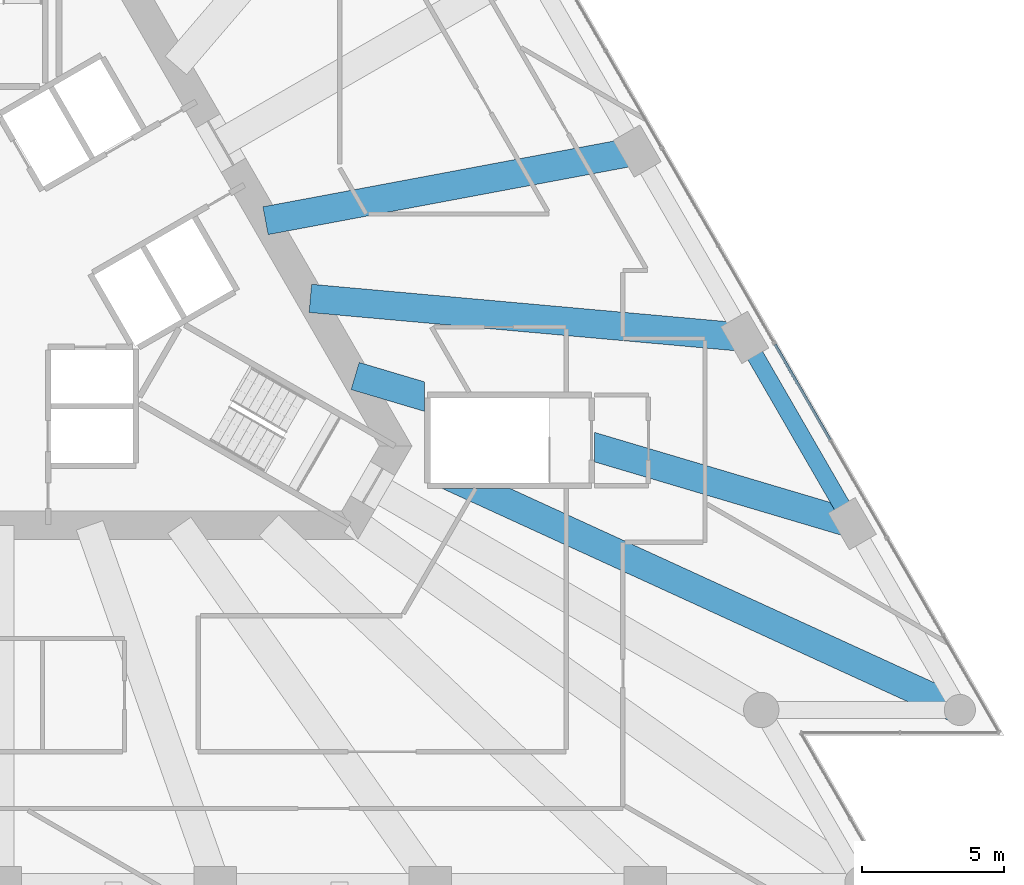
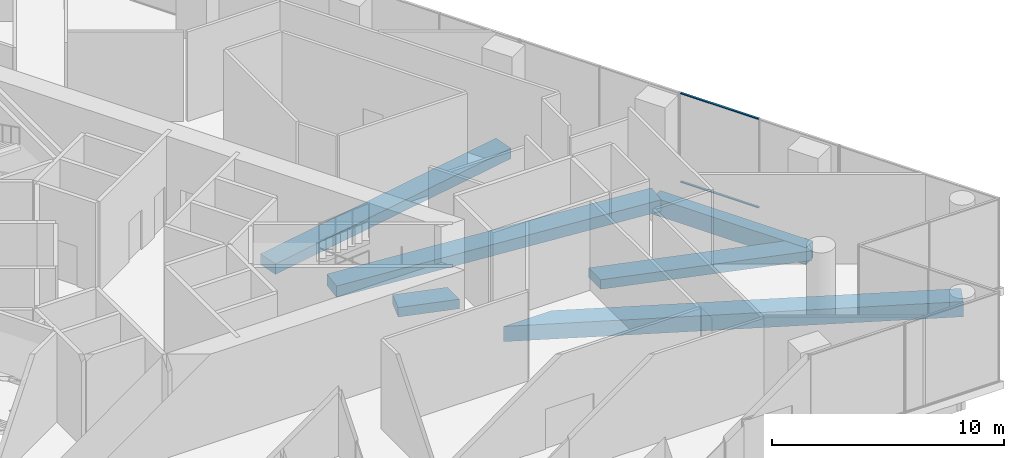
# One storey, part 11 of 28: 6 beams, 2 members, 1 element without a shape of its own.
"""IFC4 building model written with IfcOpenShell, lengths in metres."""

from ifc_helpers import new_model, si_unit, direction, frame, origin, origin_2d, place, context, subcontext, project, spatial, rectangle, extrude, clip, halfspace, material, layer, layer_set, material_profile, profile_set, type_object, element, aggregate, save


model = new_model("IFC4")

# Units and contexts
model_context = context("Model", 3, precision=1e-05, world=origin(), true_north=direction((0.0, 1.0)))
body_context = subcontext(model_context, "Body", "Model", "MODEL_VIEW")
ifc_project = project(units=[si_unit("LENGTHUNIT", "METRE"), si_unit("AREAUNIT", "SQUARE_METRE"), si_unit("VOLUMEUNIT", "CUBIC_METRE"), si_unit("PLANEANGLEUNIT", "RADIAN"), si_unit("MASSUNIT", "GRAM", prefix="KILO")], contexts=[model_context])

# Site, building, storey
site_placement = place(None, origin())
site = spatial("IfcSite", under=ifc_project, at=site_placement, CompositionType="ELEMENT")
building_placement = place(site_placement, origin())
building = spatial("IfcBuilding", under=site, at=building_placement, Name="Triada Interchange Tower", CompositionType="ELEMENT")
storey_placement = place(building_placement, frame((0.0, 0.0, 30.300048828125)))
storey = spatial("IfcBuildingStorey", under=building, at=storey_placement, Name="L05", CompositionType="ELEMENT", Elevation=30.300048828125)

# Beams
ifc_material_1 = material(Name="Concrete C50/60", Category="concrete")
ifc_material_profile_1 = material_profile(ifc_material_1, rectangle(XDim=1.0, YDim=0.5, at=origin_2d()), Name="RC 1000x500")
ifc_profile_set_1 = profile_set([ifc_material_profile_1], Name="Concrete C50/60")
beam_type_1 = type_object("IfcBeamType", Name="Radial band beam P RC 1000x500", PredefinedType="BEAM", material=ifc_profile_set_1)
beam_1_placement = place(storey_placement, frame((30.10498046875, -8.944091796875, -0.650146484375), z_axis=(-0.958593857604, 0.284776783049, 0.0), x_axis=(-0.284776783049, -0.958593857604, 0.0)))
element("IfcBeam", 1, at=beam_1_placement, inside=storey, type_object=beam_type_1, Name="Radial band beam BP22A L05", PredefinedType="BEAM", context=body_context, shape_type="Clipping", body=[
    clip(extrude(rectangle(XDim=1.0, YDim=0.5, at=origin_2d()), origin(), (0.0, 0.0, 1.0), 10.998291015625), halfspace(frame((-1.85888671875, -29.64990234375, 10.050537109375), z_axis=(0.284776783049, 0.0, 0.958593857604), x_axis=(0.0, -1.0, 0.0)), False)),
])
beam_2_placement = place(storey_placement, frame((16.43798828125, -4.884033203125, -0.650146484375), z_axis=(-0.95858381739, 0.284810577468, 0.0), x_axis=(-0.284810577468, -0.95858381739, 0.0)))
element("IfcBeam", 2, at=beam_2_placement, inside=storey, type_object=beam_type_1, Name="Radial band beam BP22B L05", PredefinedType="BEAM", context=body_context, shape_type="Clipping", body=[
    clip(extrude(rectangle(XDim=1.0, YDim=0.5, at=origin_2d()), origin(), (0.0, 0.0, 1.0), 4.062255859375), halfspace(frame((3.10888671875, -29.64990234375, 0.576416015625), z_axis=(-0.284810577468, 0.0, -0.95858381739), x_axis=(0.0, 1.0, 0.0)), False)),
])
ifc_material_profile_2 = material_profile(ifc_material_1, rectangle(XDim=1.0, YDim=0.550048828125, at=origin_2d()), Name="RC 1000x550")
ifc_profile_set_2 = profile_set([ifc_material_profile_2], Name="Concrete C50/60")
beam_type_2 = type_object("IfcBeamType", Name="Radial band beam P RC 1000x550", PredefinedType="BEAM", material=ifc_profile_set_2)
beam_3_placement = place(storey_placement, frame((22.506103515625, 4.218994140625, -0.675048828125), z_axis=(-0.982880256044, -0.184245494596, 0.0), x_axis=(0.184245494596, -0.982880256044, 0.0)))
element("IfcBeam", 3, at=beam_3_placement, inside=storey, type_object=beam_type_2, Name="Radial band beam BP24 L05", PredefinedType="BEAM", context=body_context, shape_type="SweptSolid", body=[
    extrude(rectangle(XDim=1.0, YDim=0.550048828125, at=origin_2d()), origin(), (0.0, 0.0, 1.0), 13.35693359375),
])
ifc_material_profile_3 = material_profile(ifc_material_1, rectangle(XDim=1.0, YDim=0.60009765625, at=origin_2d()), Name="RC 1000x600")
ifc_profile_set_3 = profile_set([ifc_material_profile_3], Name="Concrete C50/60")
beam_type_3 = type_object("IfcBeamType", Name="Radial band beam P RC 1000x600", PredefinedType="BEAM", material=ifc_profile_set_3)
beam_4_placement = place(storey_placement, frame((26.305908203125, -2.363037109375, -0.699951171875), z_axis=(-0.995992484525, 0.089436965342, 0.0), x_axis=(-0.089436965342, -0.995992484525, 0.0)))
element("IfcBeam", 4, at=beam_4_placement, inside=storey, type_object=beam_type_3, Name="Radial band beam BP23 L05", PredefinedType="BEAM", context=body_context, shape_type="SweptSolid", body=[
    extrude(rectangle(XDim=1.0, YDim=0.60009765625, at=origin_2d()), origin(), (0.0, 0.0, 1.0), 15.40673828125),
])
ifc_material_profile_4 = material_profile(ifc_material_1, rectangle(XDim=1.0, YDim=0.800048828125, at=origin_2d()), Name="RC 1000x800")
ifc_profile_set_4 = profile_set([ifc_material_profile_4], Name="Concrete C50/60")
beam_type_4 = type_object("IfcBeamType", Name="Radial band beam P RC 1000x800", PredefinedType="BEAM", material=ifc_profile_set_4)
beam_5_placement = place(storey_placement, frame((33.905029296875, -15.52490234375, -0.800048828125), z_axis=(-0.909200707798, 0.41635810661, 0.0), x_axis=(-0.41635810661, -0.909200707798, 0.0)))
element("IfcBeam", 5, at=beam_5_placement, inside=storey, type_object=beam_type_4, Name="Radial band beam BP21A L05", PredefinedType="BEAM", context=body_context, shape_type="Clipping", body=[
    clip(extrude(rectangle(XDim=1.0, YDim=0.800048828125, at=origin_2d()), origin(), (0.0, 0.0, 1.0), 20.294921875), halfspace(frame((-1.741455078125, -29.5, 14.9912109375), z_axis=(-0.909200707798, 0.0, 0.41635810661), x_axis=(0.0, 1.0, 0.0)), False)),
])
ifc_material_profile_5 = material_profile(ifc_material_1, rectangle(XDim=0.60009765625, YDim=0.89990234375, at=origin_2d()), Name="RC 600x900")
ifc_profile_set_5 = profile_set([ifc_material_profile_5], Name="Concrete C50/60")
beam_type_5 = type_object("IfcBeamType", Name="Spandrel beam P RC 600x900", PredefinedType="BEAM", material=ifc_profile_set_5)
beam_6_placement = place(storey_placement, frame((30.10498046875, -8.944091796875, -0.85009765625), z_axis=(-0.499950508799, 0.866053975657, 0.0), x_axis=(-0.866053975657, -0.499950508799, 0.0)))
element("IfcBeam", 6, at=beam_6_placement, inside=storey, type_object=beam_type_5, Name="Spandrel beam EP22 L05", PredefinedType="BEAM", context=body_context, shape_type="SweptSolid", body=[
    extrude(rectangle(XDim=0.60009765625, YDim=0.89990234375, at=origin_2d()), origin(), (0.0, 0.0, 1.0), 7.598876953125),
])

# Curtain wall, members
ifc_material_2 = material(Name="Aluminium framed glazing", Category="aluminium")
ifc_layer = layer(ifc_material_2, 0.199951171875)
ifc_layer_set = layer_set([ifc_layer], Name="Curtain wall Winter garden glazing")
curtain_wall_type = type_object("IfcCurtainWallType", Name="Curtain wall Winter garden glazing", PredefinedType="NOTDEFINED", material=ifc_layer_set)
curtain_wall_placement = place(storey_placement, origin())
curtain_wall = element("IfcCurtainWall", 7, at=curtain_wall_placement, inside=storey, type_object=curtain_wall_type, Name="Winter garden glazing CW013 L05", PredefinedType="NOTDEFINED")
ifc_material_3 = material(Name="Aluminium", Category="aluminium")
ifc_material_profile_6 = material_profile(ifc_material_3, rectangle(XDim=0.10009765625, YDim=0.050048828125, at=origin_2d()), Name="Aluminium transom")
ifc_profile_set_6 = profile_set([ifc_material_profile_6], Name="Aluminium")
member_type = type_object("IfcMemberType", Name="Transom Winter garden glazing 100x50", PredefinedType="USERDEFINED", material=ifc_profile_set_6)
member_1_placement = place(storey_placement, frame((29.319091796875, -5.9814453125, 0.02490234375), z_axis=(-0.499950487857, 0.866053987747, 0.0), x_axis=(-0.866053987747, -0.499950487857, 0.0)))
member_1 = element("IfcMember", 8, at=member_1_placement, type_object=member_type, Name="CW013 transom 2.1", ObjectType="TRANSOM", PredefinedType="USERDEFINED", context=body_context, shape_type="SweptSolid", body=[
    extrude(rectangle(XDim=0.10009765625, YDim=0.050048828125, at=origin_2d()), origin(), (0.0, 0.0, 1.0), 3.892578125),
])
member_2_placement = place(storey_placement, frame((29.319091796875, -5.9814453125, 4.675048828125), z_axis=(-0.499950487857, 0.866053987747, 0.0), x_axis=(-0.866053987747, -0.499950487857, 0.0)))
member_2 = element("IfcMember", 9, at=member_2_placement, type_object=member_type, Name="CW013 transom 2.2", ObjectType="TRANSOM", PredefinedType="USERDEFINED", context=body_context, shape_type="SweptSolid", body=[
    extrude(rectangle(XDim=0.10009765625, YDim=0.050048828125, at=origin_2d()), origin(), (0.0, 0.0, 1.0), 3.892578125),
])
aggregate(curtain_wall, [member_1, member_2])

save(model, "model.ifc")
